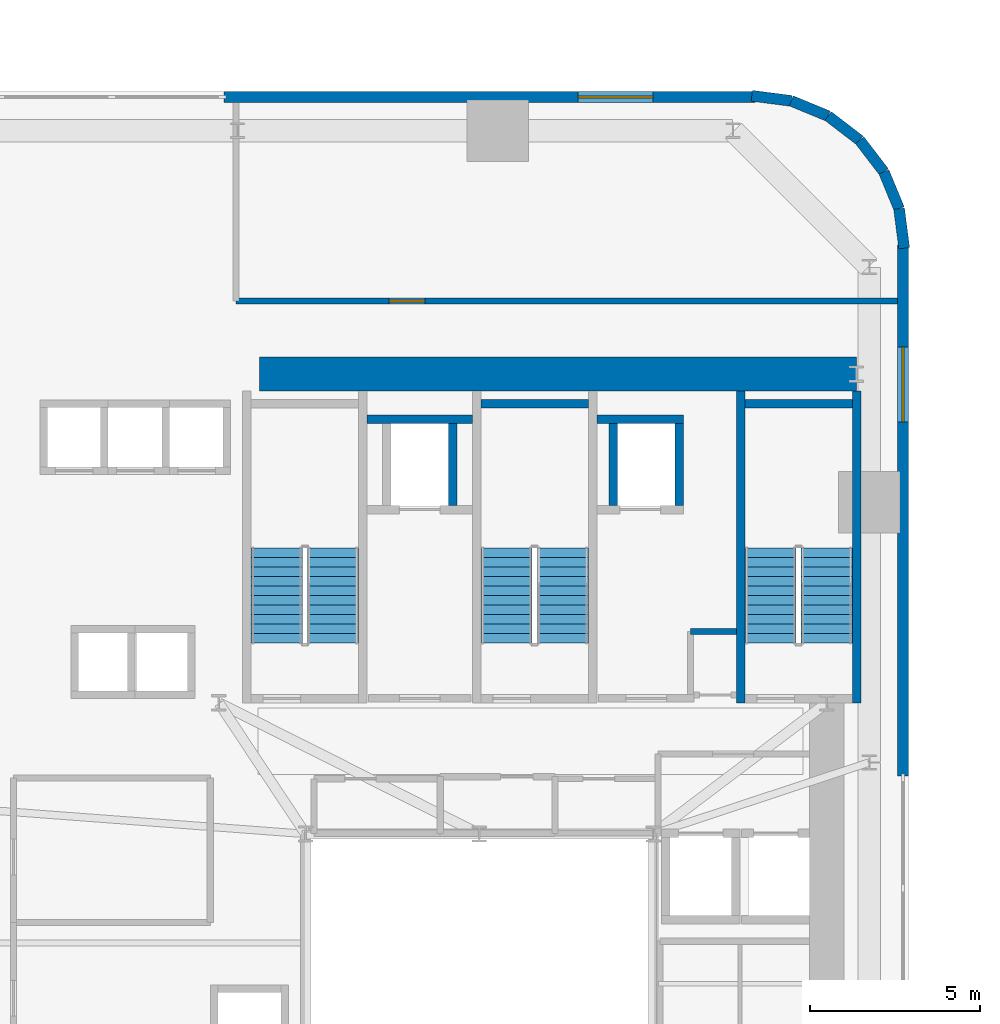
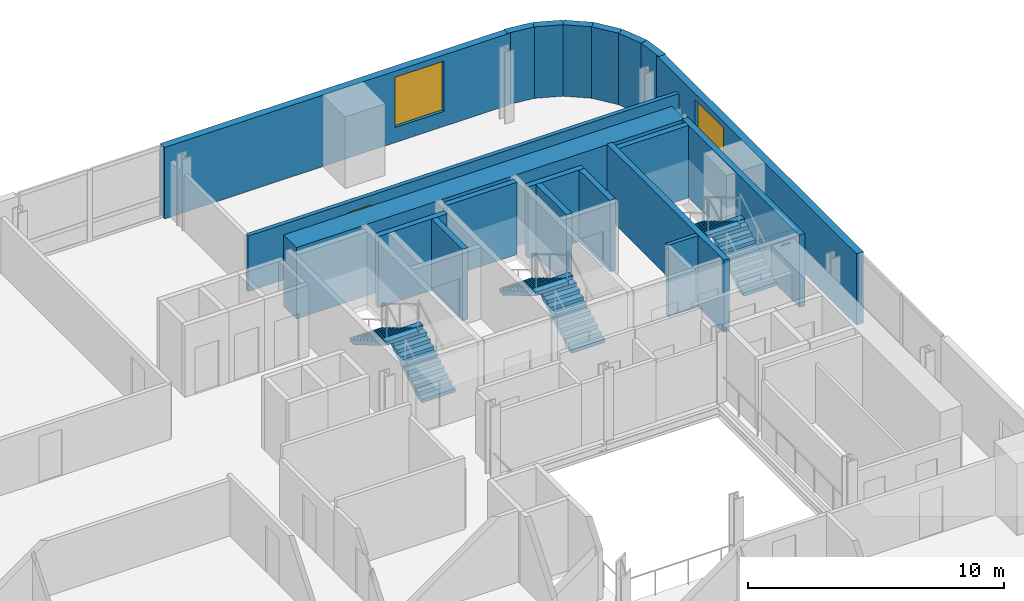
# One storey, part 9 of 13: 20 walls, 6 stair flights, 2 windows, 1 door, 3 openings, 3 elements without a shape of their own.
"""IFC4 building model written with IfcOpenShell, lengths in metres."""

from ifc_helpers import new_model, si_unit, direction, frame, frame_2d, origin, place, context, subcontext, project, spatial, polyline, rectangle, outline, extrude, source, transform, mapped, material, layer, layer_set, type_object, element, fill, aggregate, save


model = new_model("IFC4")

# Units and contexts
model_context = context("Model", 3, precision=1e-05, world=origin(), true_north=direction((0.0, 1.0)))
body_context = subcontext(model_context, "Body", "Model", "MODEL_VIEW")
ifc_project = project(units=[si_unit("LENGTHUNIT", "METRE"), si_unit("AREAUNIT", "SQUARE_METRE"), si_unit("VOLUMEUNIT", "CUBIC_METRE"), si_unit("PLANEANGLEUNIT", "RADIAN"), si_unit("MASSUNIT", "GRAM", prefix="KILO")], contexts=[model_context])

# Site, building, storey
site_placement = place(None, origin())
site = spatial("IfcSite", under=ifc_project, at=site_placement, CompositionType="ELEMENT")
building_placement = place(site_placement, origin())
building = spatial("IfcBuilding", under=site, at=building_placement, Name="Vardaveli Station Tower", CompositionType="ELEMENT")
storey_placement = place(building_placement, frame((0.0, 0.0, 67.75)))
storey = spatial("IfcBuildingStorey", under=building, at=storey_placement, Name="L17", CompositionType="ELEMENT", Elevation=67.75)

# Wall
ifc_material_1 = material(Name="Concrete C60/75", Category="concrete")
ifc_layer_1 = layer(ifc_material_1, 1.0, Name="Concrete C60/75")
ifc_layer_set_1 = layer_set([ifc_layer_1], Name="Concrete C60/75")
wall_type_1 = type_object("IfcWallType", Name="WAL-CORE-1000", PredefinedType="SHEAR", material=ifc_layer_set_1)
shared_shape_1 = source(origin(), body_context, "Body", "SweptSolid", [
    extrude(rectangle(XDim=17.52001953125, YDim=1.0, at=frame_2d((8.760009765625, 0.0))), origin(), (0.0, 0.0, 1.0), 3.409912109375),
])
wall_1_placement = place(storey_placement, frame((29.85009765625, 40.300048828125, 0.0), z_axis=(0.0, 0.0, 1.0), x_axis=(1.0, 0.0, 0.0)))
element("IfcWall", 1, at=wall_1_placement, inside=storey, type_object=wall_type_1, Name="SW-L17-NORTH", PredefinedType="SHEAR", context=body_context, shape_type="MappedRepresentation", body=[
    mapped(shared_shape_1, transform((0.0, 0.0, 0.0), scale=1.0)),
])

# Wall, opening, window
ifc_material_2 = material(Name="Precast concrete C45/55", Category="concrete")
ifc_layer_2 = layer(ifc_material_2, 0.320068359375, Name="Precast concrete C45/55")
ifc_layer_set_2 = layer_set([ifc_layer_2], Name="Precast concrete C45/55")
wall_type_2 = type_object("IfcWallType", Name="WAL-EXT-STONE-320", PredefinedType="SOLIDWALL", material=ifc_layer_set_2)
shared_shape_2 = source(origin(), body_context, "Body", "SweptSolid", [
    extrude(rectangle(XDim=15.599853515625, YDim=0.320068359375, at=frame_2d((7.7998046875, 0.0))), origin(), (0.0, 0.0, 1.0), 3.409912109375),
])
wall_2_placement = place(storey_placement, frame((44.39990234375, 48.43994140625, 0.0), z_axis=(0.0, 0.0, 1.0), x_axis=(-1.0, 0.0, 0.0)))
wall_2 = element("IfcWall", 2, at=wall_2_placement, inside=storey, type_object=wall_type_2, Name="EW-L17-N1", PredefinedType="SOLIDWALL", context=body_context, shape_type="MappedRepresentation", body=[
    mapped(shared_shape_2, transform((0.0, 0.0, 0.0), scale=1.0)),
])
shared_shape_3 = source(origin(), body_context, "Body", "SweptSolid", [
    extrude(rectangle(XDim=2.199951171875, YDim=2.39990234375, at=frame_2d((1.10009765625, 1.199951171875))), frame((0.0, 0.169921875, 0.0), z_axis=(0.0, -1.0, 0.0), x_axis=(1.0, 0.0, 0.0)), (0.0, 0.0, 1.0), 0.340087890625),
])
opening_1_placement = place(wall_2_placement, frame((3.0048828125, 0.0, 0.719970703125)))
opening_1 = element("IfcOpeningElement", 3, at=opening_1_placement, cuts=wall_2, Name="Opening W-03", PredefinedType="OPENING", context=body_context, shape_type="MappedRepresentation", body=[
    mapped(shared_shape_3, transform((0.0, 0.0, 0.0), scale=1.0)),
])
ifc_material_3 = material(Name="Low-E solar-control glass", Category="glass")
window_type = type_object("IfcWindowType", Name="WIN-LOG-2200x2400", PartitioningType="SINGLE_PANEL", PredefinedType="WINDOW", material=ifc_material_3)
shared_shape_4 = source(origin(), body_context, "Body", "SweptSolid", [
    extrude(rectangle(XDim=2.199951171875, YDim=2.39990234375, at=frame_2d((1.10009765625, 1.199951171875))), frame((0.0, 0.030029296875, 0.0), z_axis=(0.0, -1.0, 0.0), x_axis=(1.0, 0.0, 0.0)), (0.0, 0.0, 1.0), 0.06005859375),
])
window_1_placement = place(opening_1_placement, origin())
window_1 = element("IfcWindow", 4, at=window_1_placement, inside=storey, type_object=window_type, Name="WN-L17-N1", OverallHeight=2.39990234375, OverallWidth=2.199951171875, PartitioningType="SINGLE_PANEL", PredefinedType="WINDOW", context=body_context, shape_type="MappedRepresentation", body=[
    mapped(shared_shape_4, transform((0.0, 0.0, 0.0), scale=1.0)),
])
fill(opening_1, window_1)

shared_shape_5 = source(origin(), body_context, "Body", "SweptSolid", [
    extrude(rectangle(XDim=15.60009765625, YDim=0.320068359375, at=frame_2d((7.800048828125, 0.0))), origin(), (0.0, 0.0, 1.0), 3.409912109375),
])
wall_3_placement = place(storey_placement, frame((48.739990234375, 28.5, 0.0), z_axis=(0.0, 0.0, 1.0), x_axis=(0.0, 1.0, 0.0)))
wall_3 = element("IfcWall", 5, at=wall_3_placement, inside=storey, type_object=wall_type_2, Name="EW-L17-E2", PredefinedType="SOLIDWALL", context=body_context, shape_type="MappedRepresentation", body=[
    mapped(shared_shape_5, transform((0.0, 0.0, 0.0), scale=1.0)),
])
opening_2_placement = place(wall_3_placement, frame((10.39501953125, 0.0, 0.719970703125)))
opening_2 = element("IfcOpeningElement", 6, at=opening_2_placement, cuts=wall_3, Name="Opening W-03", PredefinedType="OPENING", context=body_context, shape_type="MappedRepresentation", body=[
    mapped(shared_shape_3, transform((0.0, 0.0, 0.0), scale=1.0)),
])
window_2_placement = place(opening_2_placement, origin())
window_2 = element("IfcWindow", 7, at=window_2_placement, inside=storey, type_object=window_type, Name="WN-L17-E2", OverallHeight=2.39990234375, OverallWidth=2.199951171875, PartitioningType="SINGLE_PANEL", PredefinedType="WINDOW", context=body_context, shape_type="MappedRepresentation", body=[
    mapped(shared_shape_4, transform((0.0, 0.0, 0.0), scale=1.0)),
])
fill(opening_2, window_2)

# Walls
shared_shape_6 = source(origin(), body_context, "Body", "SweptSolid", [
    extrude(rectangle(XDim=1.1689453125, YDim=0.320068359375, at=frame_2d((0.58447265625, 0.0))), origin(), (0.0, 0.0, 1.0), 3.409912109375),
])
wall_4_placement = place(storey_placement, frame((48.179931640625, 46.2412109375, 0.0), z_axis=(0.0, 0.0, 1.0), x_axis=(-0.608387696831, 0.793639975269, 0.0)))
element("IfcWall", 8, at=wall_4_placement, inside=storey, type_object=wall_type_2, Name="EW-L17-CR3-3", PredefinedType="SOLIDWALL", context=body_context, shape_type="MappedRepresentation", body=[
    mapped(shared_shape_6, transform((0.0, 0.0, 0.0), scale=1.0)),
])
shared_shape_7 = source(origin(), body_context, "Body", "SweptSolid", [
    extrude(rectangle(XDim=1.168701171875, YDim=0.320068359375, at=frame_2d((0.58447265625, 0.0))), origin(), (0.0, 0.0, 1.0), 3.409912109375),
])
wall_5_placement = place(storey_placement, frame((47.46875, 47.1689453125, 0.0), z_axis=(0.0, 0.0, 1.0), x_axis=(-0.793663520347, 0.608356981114, 0.0)))
element("IfcWall", 9, at=wall_5_placement, inside=storey, type_object=wall_type_2, Name="EW-L17-CR3-4", PredefinedType="SOLIDWALL", context=body_context, shape_type="MappedRepresentation", body=[
    mapped(shared_shape_7, transform((0.0, 0.0, 0.0), scale=1.0)),
])
shared_shape_8 = source(origin(), body_context, "Body", "SweptSolid", [
    extrude(rectangle(XDim=1.17041015625, YDim=0.320068359375, at=frame_2d((0.585205078125, 0.0))), origin(), (0.0, 0.0, 1.0), 3.409912109375),
])
for number, where, z_axis, x_axis, name in (
    (10, (48.775634765625, 43.99951171875, 0.0), (0.0, 0.0, 1.0), (-0.128295670475, 0.991735963317, 0.0), "EW-L17-CR3-1"),
    (11, (45.460205078125, 48.325439453125, 0.0), (0.0, 0.0, 1.0), (-0.991735963317, 0.128295670475, 0.0), "EW-L17-CR3-6"),
):
    element("IfcWall", number, at=place(storey_placement, frame(where, z_axis=z_axis, x_axis=x_axis)), inside=storey, type_object=wall_type_2, Name=name, PredefinedType="SOLIDWALL", context=body_context, shape_type="MappedRepresentation", body=[
        mapped(shared_shape_8, transform((0.0, 0.0, 0.0), scale=1.0)),
    ])
shared_shape_9 = source(origin(), body_context, "Body", "SweptSolid", [
    extrude(rectangle(XDim=1.169189453125, YDim=0.320068359375, at=frame_2d((0.58447265625, 0.0))), origin(), (0.0, 0.0, 1.0), 3.409912109375),
])
for number, where, z_axis, x_axis, name in (
    (12, (48.62548828125, 45.16015625, 0.0), (0.0, 0.0, 1.0), (-0.381054331552, 0.924552646638, 0.0), "EW-L17-CR3-2"),
    (13, (46.541259765625, 47.8798828125, 0.0), (0.0, 0.0, 1.0), (-0.924552646638, 0.381054331552, 0.0), "EW-L17-CR3-5"),
):
    element("IfcWall", number, at=place(storey_placement, frame(where, z_axis=z_axis, x_axis=x_axis)), inside=storey, type_object=wall_type_2, Name=name, PredefinedType="SOLIDWALL", context=body_context, shape_type="MappedRepresentation", body=[
        mapped(shared_shape_9, transform((0.0, 0.0, 0.0), scale=1.0)),
    ])
ifc_material_4 = material(Name="Concrete C40/50", Category="concrete")
ifc_layer_3 = layer(ifc_material_4, 0.25, Name="Concrete C40/50")
ifc_layer_set_3 = layer_set([ifc_layer_3], Name="Concrete C40/50")
wall_type_3 = type_object("IfcWallType", Name="WAL-SHAFT-250", PredefinedType="SOLIDWALL", material=ifc_layer_set_3)
shared_shape_10 = source(origin(), body_context, "Body", "SweptSolid", [
    extrude(rectangle(XDim=9.150146484375, YDim=0.25, at=frame_2d((4.5751953125, 0.0))), origin(), (0.0, 0.0, 1.0), 3.449951171875),
])
for number, where, z_axis, x_axis, name in (
    (14, (43.97509765625, 30.64990234375, 0.0), (0.0, 0.0, 1.0), (0.0, 1.0, 0.0), "W-L17-ST-3W"),
    (15, (47.375, 30.64990234375, 0.0), (0.0, 0.0, 1.0), (0.0, 1.0, 0.0), "W-L17-ST-3E"),
):
    element("IfcWall", number, at=place(storey_placement, frame(where, z_axis=z_axis, x_axis=x_axis)), inside=storey, type_object=wall_type_3, Name=name, PredefinedType="SOLIDWALL", context=body_context, shape_type="MappedRepresentation", body=[
        mapped(shared_shape_10, transform((0.0, 0.0, 0.0), scale=1.0)),
    ])
shared_shape_11 = source(origin(), body_context, "Body", "SweptSolid", [
    extrude(rectangle(XDim=3.14990234375, YDim=0.25, at=frame_2d((1.574951171875, 0.0))), origin(), (0.0, 0.0, 1.0), 3.449951171875),
])
for number, where, z_axis, x_axis, name in (
    (16, (36.35009765625, 39.425048828125, 0.0), (0.0, 0.0, 1.0), (1.0, 0.0, 0.0), "W-L17-ST-2N"),
    (17, (44.10009765625, 39.425048828125, 0.0), (0.0, 0.0, 1.0), (1.0, 0.0, 0.0), "W-L17-ST-3N"),
):
    element("IfcWall", number, at=place(storey_placement, frame(where, z_axis=z_axis, x_axis=x_axis)), inside=storey, type_object=wall_type_3, Name=name, PredefinedType="SOLIDWALL", context=body_context, shape_type="MappedRepresentation", body=[
        mapped(shared_shape_11, transform((0.0, 0.0, 0.0), scale=1.0)),
    ])
shared_shape_12 = source(origin(), body_context, "Body", "SweptSolid", [
    extrude(rectangle(XDim=3.10009765625, YDim=0.25, at=frame_2d((1.550048828125, 0.0))), origin(), (0.0, 0.0, 1.0), 3.409912109375),
])
wall_6_placement = place(storey_placement, frame((33.0, 38.97509765625, 0.0), z_axis=(0.0, 0.0, 1.0), x_axis=(1.0, 0.0, 0.0)))
element("IfcWall", 18, at=wall_6_placement, inside=storey, type_object=wall_type_3, Name="SHW-FFL-01-L17-N", PredefinedType="SOLIDWALL", context=body_context, shape_type="MappedRepresentation", body=[
    mapped(shared_shape_12, transform((0.0, 0.0, 0.0), scale=1.0)),
])
shared_shape_13 = source(origin(), body_context, "Body", "SweptSolid", [
    extrude(rectangle(XDim=2.400146484375, YDim=0.25, at=frame_2d((1.2001953125, 0.0))), origin(), (0.0, 0.0, 1.0), 3.409912109375),
])
for number, where, z_axis, x_axis, name in (
    (19, (35.52490234375, 36.449951171875, 0.0), (0.0, 0.0, 1.0), (0.0, 1.0, 0.0), "SHW-FFL-01-L17-E"),
    (20, (40.22509765625, 36.449951171875, 0.0), (0.0, 0.0, 1.0), (0.0, 1.0, 0.0), "SHW-FFL-02-L17-W"),
    (21, (42.175048828125, 36.449951171875, 0.0), (0.0, 0.0, 1.0), (0.0, 1.0, 0.0), "SHW-FFL-02-L17-E"),
):
    element("IfcWall", number, at=place(storey_placement, frame(where, z_axis=z_axis, x_axis=x_axis)), inside=storey, type_object=wall_type_3, Name=name, PredefinedType="SOLIDWALL", context=body_context, shape_type="MappedRepresentation", body=[
        mapped(shared_shape_13, transform((0.0, 0.0, 0.0), scale=1.0)),
    ])
shared_shape_14 = source(origin(), body_context, "Body", "SweptSolid", [
    extrude(rectangle(XDim=2.550048828125, YDim=0.25, at=frame_2d((1.27490234375, 0.0))), origin(), (0.0, 0.0, 1.0), 3.409912109375),
])
wall_7_placement = place(storey_placement, frame((39.75, 38.97509765625, 0.0), z_axis=(0.0, 0.0, 1.0), x_axis=(1.0, 0.0, 0.0)))
element("IfcWall", 22, at=wall_7_placement, inside=storey, type_object=wall_type_3, Name="SHW-FFL-02-L17-N", PredefinedType="SOLIDWALL", context=body_context, shape_type="MappedRepresentation", body=[
    mapped(shared_shape_14, transform((0.0, 0.0, 0.0), scale=1.0)),
])
ifc_material_5 = material(Name="Fire-rated gypsum stud partition")
ifc_layer_4 = layer(ifc_material_5, 0.179931640625, Name="Fire-rated gypsum stud partition")
ifc_layer_set_4 = layer_set([ifc_layer_4], Name="Fire-rated gypsum stud partition")
wall_type_4 = type_object("IfcWallType", Name="WAL-CORR-180", PredefinedType="PARTITIONING", material=ifc_layer_set_4)
shared_shape_15 = source(origin(), body_context, "Body", "SweptSolid", [
    extrude(rectangle(XDim=1.347900390625, YDim=0.179931640625, at=frame_2d((0.673828125, 0.0))), origin(), (0.0, 0.0, 1.0), 3.409912109375),
])
wall_8_placement = place(storey_placement, frame((42.5, 32.75, 0.0), z_axis=(0.0, 0.0, 1.0), x_axis=(1.0, 0.0, 0.0)))
element("IfcWall", 23, at=wall_8_placement, inside=storey, type_object=wall_type_4, Name="W-L17-CBS2A-N", PredefinedType="PARTITIONING", context=body_context, shape_type="MappedRepresentation", body=[
    mapped(shared_shape_15, transform((0.0, 0.0, 0.0), scale=1.0)),
])

# Wall, opening, door
shared_shape_16 = source(origin(), body_context, "Body", "SweptSolid", [
    extrude(rectangle(XDim=19.427978515625, YDim=0.179931640625, at=frame_2d((9.7138671875, 0.0))), origin(), (0.0, 0.0, 1.0), 2.652099609375),
])
wall_9_placement = place(storey_placement, frame((29.14990234375, 42.449951171875, 0.0), z_axis=(0.0, 0.0, 1.0), x_axis=(1.0, 0.0, 0.0)))
wall_9 = element("IfcWall", 24, at=wall_9_placement, inside=storey, type_object=wall_type_4, Name="W-L17-NPS", PredefinedType="PARTITIONING", context=body_context, shape_type="MappedRepresentation", body=[
    mapped(shared_shape_16, transform((0.0, 0.0, 0.0), scale=1.0)),
])
shared_shape_17 = source(origin(), body_context, "Body", "SweptSolid", [
    extrude(rectangle(XDim=1.050048828125, YDim=2.199951171875, at=frame_2d((0.52490234375, 1.10009765625))), frame((0.0, 0.10009765625, 0.0), z_axis=(0.0, -1.0, 0.0), x_axis=(1.0, 0.0, 0.0)), (0.0, 0.0, 1.0), 0.199951171875),
])
opening_3_placement = place(wall_9_placement, frame((4.5, 0.0, 0.0)))
opening_3 = element("IfcOpeningElement", 25, at=opening_3_placement, cuts=wall_9, Name="Opening D-05", PredefinedType="OPENING", context=body_context, shape_type="MappedRepresentation", body=[
    mapped(shared_shape_17, transform((0.0, 0.0, 0.0), scale=1.0)),
])
ifc_material_6 = material(Name="Walnut veneer acoustic fire door")
door_type = type_object("IfcDoorType", Name="DR-SUITE-1050x2200", OperationType="NOTDEFINED", PredefinedType="DOOR", material=ifc_material_6)
shared_shape_18 = source(origin(), body_context, "Body", "SweptSolid", [
    extrude(rectangle(XDim=1.050048828125, YDim=2.199951171875, at=frame_2d((0.52490234375, 1.10009765625))), frame((0.0, 0.02490234375, 0.0), z_axis=(0.0, -1.0, 0.0), x_axis=(1.0, 0.0, 0.0)), (0.0, 0.0, 1.0), 0.050048828125),
])
door_placement = place(opening_3_placement, origin())
door = element("IfcDoor", 26, at=door_placement, inside=storey, type_object=door_type, Name="D-L17-NP1", OperationType="SINGLE_SWING_LEFT", OverallHeight=2.199951171875, OverallWidth=1.050048828125, PredefinedType="DOOR", context=body_context, shape_type="MappedRepresentation", body=[
    mapped(shared_shape_18, transform((0.0, 0.0, 0.0), scale=1.0)),
])
fill(opening_3, door)

# Stair, stair flights
stair_type = type_object("IfcStairType", Name="STR-CORE-1500", PredefinedType="HALF_TURN_STAIR", material=ifc_material_4)
stair_1_placement = place(storey_placement, origin())
stair_1 = element("IfcStair", 27, at=stair_1_placement, inside=storey, type_object=stair_type, Name="L17 ST-1", PredefinedType="HALF_TURN_STAIR")
stair_flight_type = type_object("IfcStairFlightType", Name="SFL-CORE-1500", PredefinedType="STRAIGHT", material=ifc_material_4)
shared_shape_19 = source(origin(), body_context, "Body", "SweptSolid", [
    extrude(outline(polyline([(0.0, 0.0), (0.0, 0.166015625), (0.280029296875, 0.166015625), (0.280029296875, 0.331787109375), (0.56005859375, 0.331787109375), (0.56005859375, 0.497802734375), (0.840087890625, 0.497802734375), (0.840087890625, 0.66357421875), (1.1201171875, 0.66357421875), (1.1201171875, 0.82958984375), (1.39990234375, 0.82958984375), (1.39990234375, 0.995361328125), (1.679931640625, 0.995361328125), (1.679931640625, 1.161376953125), (1.9599609375, 1.161376953125), (1.9599609375, 1.327392578125), (2.239990234375, 1.327392578125), (2.239990234375, 1.4931640625), (2.52001953125, 1.4931640625), (2.52001953125, 1.6591796875), (2.800048828125, 1.6591796875), (2.800048828125, 1.824951171875), (2.800048828125, 1.48486328125), (0.2939453125, 0.0), (0.0, 0.0)])), frame((0.0, 0.75, 0.0), z_axis=(0.0, -1.0, 0.0), x_axis=(1.0, 0.0, 0.0)), (0.0, 0.0, 1.0), 1.5),
])
stair_flight_1_placement = place(storey_placement, frame((32.0, 32.39990234375, 0.0), z_axis=(0.0, 0.0, 1.0), x_axis=(0.0, 1.0, 0.0)))
stair_flight_1 = element("IfcStairFlight", 28, at=stair_flight_1_placement, type_object=stair_flight_type, Name="ST-1 flight 1", NumberOfRisers=11, NumberOfTreads=10, PredefinedType="STRAIGHT", RiserHeight=0.165909091, TreadLength=0.28, context=body_context, shape_type="MappedRepresentation", body=[
    mapped(shared_shape_19, transform((0.0, 0.0, 0.0), scale=1.0)),
])
stair_flight_2_placement = place(storey_placement, frame((30.35009765625, 35.199951171875, 1.824951171875), z_axis=(0.0, 0.0, 1.0), x_axis=(0.0, -1.0, 0.0)))
stair_flight_2 = element("IfcStairFlight", 29, at=stair_flight_2_placement, type_object=stair_flight_type, Name="ST-1 flight 2", NumberOfRisers=11, NumberOfTreads=10, PredefinedType="STRAIGHT", RiserHeight=0.165909091, TreadLength=0.28, context=body_context, shape_type="MappedRepresentation", body=[
    mapped(shared_shape_19, transform((0.0, 0.0, 0.0), scale=1.0)),
])
aggregate(stair_1, [stair_flight_1, stair_flight_2])

stair_2_placement = place(storey_placement, origin())
stair_2 = element("IfcStair", 30, at=stair_2_placement, inside=storey, type_object=stair_type, Name="L17 ST-2", PredefinedType="HALF_TURN_STAIR")
stair_flight_3_placement = place(storey_placement, frame((38.75, 32.39990234375, 0.0), z_axis=(0.0, 0.0, 1.0), x_axis=(0.0, 1.0, 0.0)))
stair_flight_3 = element("IfcStairFlight", 31, at=stair_flight_3_placement, type_object=stair_flight_type, Name="ST-2 flight 1", NumberOfRisers=11, NumberOfTreads=10, PredefinedType="STRAIGHT", RiserHeight=0.165909091, TreadLength=0.28, context=body_context, shape_type="MappedRepresentation", body=[
    mapped(shared_shape_19, transform((0.0, 0.0, 0.0), scale=1.0)),
])
stair_flight_4_placement = place(storey_placement, frame((37.10009765625, 35.199951171875, 1.824951171875), z_axis=(0.0, 0.0, 1.0), x_axis=(0.0, -1.0, 0.0)))
stair_flight_4 = element("IfcStairFlight", 32, at=stair_flight_4_placement, type_object=stair_flight_type, Name="ST-2 flight 2", NumberOfRisers=11, NumberOfTreads=10, PredefinedType="STRAIGHT", RiserHeight=0.165909091, TreadLength=0.28, context=body_context, shape_type="MappedRepresentation", body=[
    mapped(shared_shape_19, transform((0.0, 0.0, 0.0), scale=1.0)),
])
aggregate(stair_2, [stair_flight_3, stair_flight_4])

stair_3_placement = place(storey_placement, origin())
stair_3 = element("IfcStair", 33, at=stair_3_placement, inside=storey, type_object=stair_type, Name="L17 ST-3", PredefinedType="HALF_TURN_STAIR")
stair_flight_5_placement = place(storey_placement, frame((46.5, 32.39990234375, 0.0), z_axis=(0.0, 0.0, 1.0), x_axis=(0.0, 1.0, 0.0)))
stair_flight_5 = element("IfcStairFlight", 34, at=stair_flight_5_placement, type_object=stair_flight_type, Name="ST-3 flight 1", NumberOfRisers=11, NumberOfTreads=10, PredefinedType="STRAIGHT", RiserHeight=0.165909091, TreadLength=0.28, context=body_context, shape_type="MappedRepresentation", body=[
    mapped(shared_shape_19, transform((0.0, 0.0, 0.0), scale=1.0)),
])
stair_flight_6_placement = place(storey_placement, frame((44.85009765625, 35.199951171875, 1.824951171875), z_axis=(0.0, 0.0, 1.0), x_axis=(0.0, -1.0, 0.0)))
stair_flight_6 = element("IfcStairFlight", 35, at=stair_flight_6_placement, type_object=stair_flight_type, Name="ST-3 flight 2", NumberOfRisers=11, NumberOfTreads=10, PredefinedType="STRAIGHT", RiserHeight=0.165909091, TreadLength=0.28, context=body_context, shape_type="MappedRepresentation", body=[
    mapped(shared_shape_19, transform((0.0, 0.0, 0.0), scale=1.0)),
])
aggregate(stair_3, [stair_flight_5, stair_flight_6])

save(model, "model.ifc")
